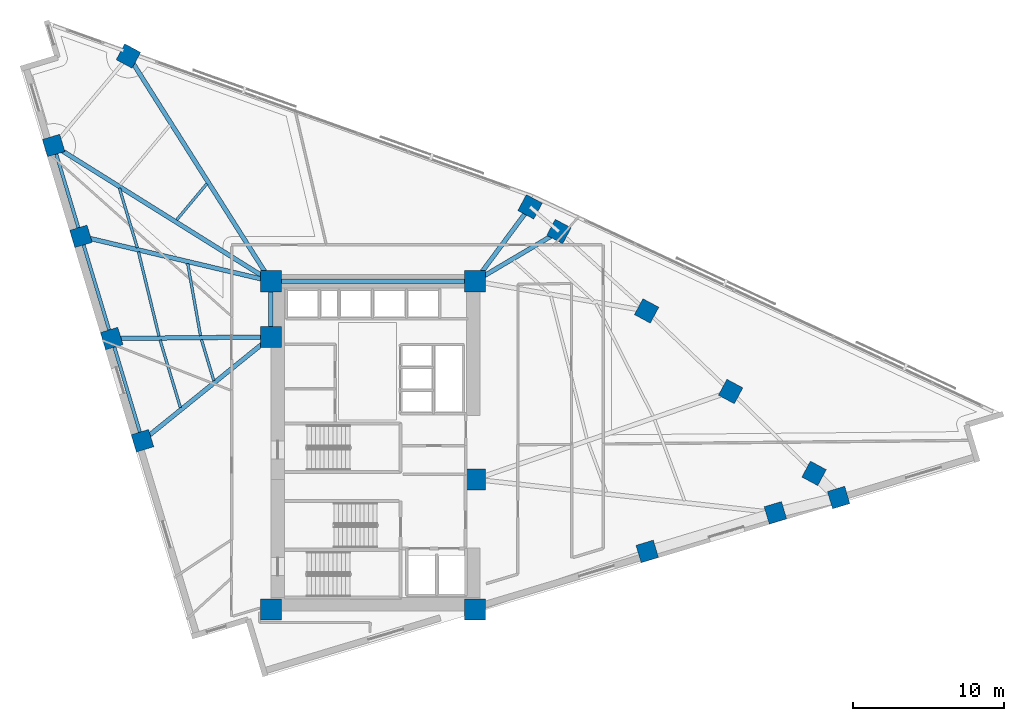
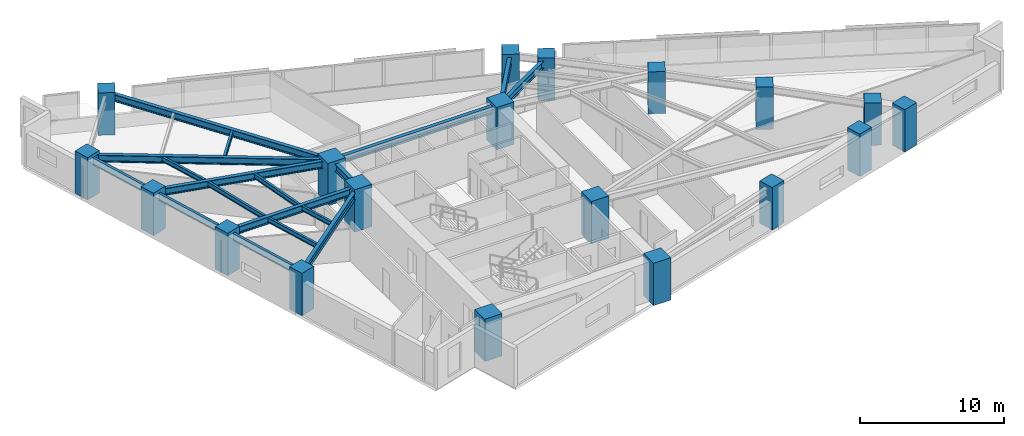
# One storey, part 1 of 15: 19 columns, 18 beams.
"""IFC4 building model written with IfcOpenShell, lengths in metres."""

from ifc_helpers import new_model, si_unit, direction, frame, origin, origin_2d, place, context, subcontext, project, spatial, rectangle, i_section, extrude, material, material_profile, profile_set, type_object, element, save


model = new_model("IFC4")

# Units and contexts
model_context = context("Model", 3, precision=1e-05, world=origin(), true_north=direction((0.0, 1.0)))
body_context = subcontext(model_context, "Body", "Model", "MODEL_VIEW")
ifc_project = project(units=[si_unit("LENGTHUNIT", "METRE"), si_unit("AREAUNIT", "SQUARE_METRE"), si_unit("VOLUMEUNIT", "CUBIC_METRE"), si_unit("PLANEANGLEUNIT", "RADIAN"), si_unit("MASSUNIT", "GRAM", prefix="KILO")], contexts=[model_context])

# Site, building, storey
site_placement = place(None, origin())
site = spatial("IfcSite", under=ifc_project, at=site_placement, CompositionType="ELEMENT")
building_placement = place(site_placement, origin())
building = spatial("IfcBuilding", under=site, at=building_placement, Name="Narakoshi Arena Tower", CompositionType="ELEMENT")
storey_placement = place(building_placement, frame((0.0, 0.0, 157.5)))
storey = spatial("IfcBuildingStorey", under=building, at=storey_placement, Name="L42", CompositionType="ELEMENT", Elevation=157.5)

# Columns
ifc_material_1 = material(Name="Concrete C60/75", Category="concrete")
ifc_material_profile_1 = material_profile(ifc_material_1, rectangle(XDim=1.199951171875, YDim=1.199951171875, at=origin_2d()), Name="RC1200x1200")
ifc_profile_set_1 = profile_set([ifc_material_profile_1], Name="Concrete C60/75")
column_type_1 = type_object("IfcColumnType", Name="COL-RC1200", PredefinedType="COLUMN", material=ifc_profile_set_1)
for number, where, z_axis, x_axis, name in (
    (1, (96.984619140625, 38.565185546875, 0.0), (0.0, 0.0, 1.0), (0.957571360805, 0.288196268134, 0.0), "L42 Tower Perimeter Column TC02"),
    (2, (105.49365234375, 41.126220703125, 0.0), (0.0, 0.0, 1.0), (0.957571360805, 0.288196268134, 0.0), "L42 Tower Perimeter Column TC03"),
    (3, (109.692626953125, 42.13916015625, 0.0), (0.0, 0.0, 1.0), (0.957571360805, 0.288196268134, 0.0), "L42 Tower Perimeter Column TC04"),
    (4, (108.061279296875, 43.74560546875, 0.0), (0.0, 0.0, 1.0), (0.473319667185, 0.880890738205, 0.0), "L42 Tower Perimeter Column TC05"),
    (5, (102.522216796875, 49.17919921875, 0.0), (0.0, 0.0, 1.0), (0.473319667185, 0.880890738205, 0.0), "L42 Tower Perimeter Column TC06"),
    (6, (96.9443359375, 54.528076171875, 0.0), (0.0, 0.0, 1.0), (0.473319667185, 0.880890738205, 0.0), "L42 Tower Perimeter Column TC07"),
    (7, (91.12646484375, 59.798095703125, 0.0), (0.0, 0.0, 1.0), (0.473319667185, 0.880890738205, 0.0), "L42 Tower Perimeter Column TC08"),
    (8, (89.206787109375, 61.437744140625, 0.0), (0.0, 0.0, 1.0), (0.473319667185, 0.880890738205, 0.0), "L42 Tower Perimeter Column TC09"),
    (9, (62.545166015625, 71.4501953125, 0.0), (0.0, 0.0, 1.0), (0.473319667185, 0.880890738205, 0.0), "L42 Tower Perimeter Column TC11"),
    (10, (57.580810546875, 65.51220703125, 0.0), (0.0, 0.0, 1.0), (-0.288196268134, 0.957571360805, 0.0), "L42 Tower Perimeter Column TC13"),
    (11, (59.39599609375, 59.481201171875, 0.0), (0.0, 0.0, 1.0), (-0.288196268134, 0.957571360805, 0.0), "L42 Tower Perimeter Column TC14"),
    (12, (61.43798828125, 52.6962890625, 0.0), (0.0, 0.0, 1.0), (-0.288196268134, 0.957571360805, 0.0), "L42 Tower Perimeter Column TC15"),
    (13, (63.47998046875, 45.91162109375, 0.0), (0.0, 0.0, 1.0), (-0.288196268134, 0.957571360805, 0.0), "L42 Tower Perimeter Column TC16"),
):
    element("IfcColumn", number, at=place(storey_placement, frame(where, z_axis=z_axis, x_axis=x_axis)), inside=storey, type_object=column_type_1, Name=name, PredefinedType="COLUMN", context=body_context, shape_type="SweptSolid", body=[
        extrude(rectangle(XDim=1.199951171875, YDim=1.199951171875, at=origin_2d()), origin(), (0.0, 0.0, 1.0), 3.60009765625),
    ])
ifc_material_profile_2 = material_profile(ifc_material_1, rectangle(XDim=1.39990234375, YDim=1.39990234375, at=origin_2d()), Name="RC1400x1400")
ifc_profile_set_2 = profile_set([ifc_material_profile_2], Name="Concrete C60/75")
column_type_2 = type_object("IfcColumnType", Name="COL-RC1400", PredefinedType="COLUMN", material=ifc_profile_set_2)
for number, where, z_axis, x_axis, name in (
    (14, (72.0, 34.699951171875, 0.0), (0.0, 0.0, 1.0), (1.0, 0.0, 0.0), "L42 Core Structural Column CC1"),
    (15, (85.550048828125, 34.699951171875, 0.0), (0.0, 0.0, 1.0), (1.0, 0.0, 0.0), "L42 Core Structural Column CC2"),
    (16, (85.550048828125, 43.35009765625, 0.0), (0.0, 0.0, 1.0), (1.0, 0.0, 0.0), "L42 Core Structural Column CC3"),
    (17, (72.0, 52.800048828125, 0.0), (0.0, 0.0, 1.0), (1.0, 0.0, 0.0), "L42 Core Structural Column CC4"),
    (18, (72.0, 56.5, 0.0), (0.0, 0.0, 1.0), (1.0, 0.0, 0.0), "L42 Core Structural Column CC5"),
    (19, (85.550048828125, 56.5, 0.0), (0.0, 0.0, 1.0), (1.0, 0.0, 0.0), "L42 Core Structural Column CC6"),
):
    element("IfcColumn", number, at=place(storey_placement, frame(where, z_axis=z_axis, x_axis=x_axis)), inside=storey, type_object=column_type_2, Name=name, PredefinedType="COLUMN", context=body_context, shape_type="SweptSolid", body=[
        extrude(rectangle(XDim=1.39990234375, YDim=1.39990234375, at=origin_2d()), origin(), (0.0, 0.0, 1.0), 3.60009765625),
    ])

# Beams
ifc_material_2 = material(Name="Structural steel S355J2", Category="steel")
ifc_material_profile_3 = material_profile(ifc_material_2, i_section(OverallWidth=0.219970703125, OverallDepth=0.60009765625, WebThickness=0.011962890625, FlangeThickness=0.01904296875, FilletRadius=0.02392578125, at=origin_2d()), Name="IPE600")
ifc_profile_set_3 = profile_set([ifc_material_profile_3], Name="Structural steel S355J2")
beam_type_1 = type_object("IfcBeamType", Name="BM-EDGE-600", PredefinedType="BEAM", material=ifc_profile_set_3)
beam_1_placement = place(storey_placement, frame((57.580810546875, 65.51220703125, 3.0400390625), z_axis=(0.288204829742, -0.957568784011, 0.0), x_axis=(0.957568784011, 0.288204829742, 0.0)))
element("IfcBeam", 20, at=beam_1_placement, inside=storey, type_object=beam_type_1, Name="L42 Perimeter Edge Girder 10", PredefinedType="BEAM", context=body_context, shape_type="SweptSolid", body=[
    extrude(i_section(OverallWidth=0.219970703125, OverallDepth=0.60009765625, WebThickness=0.011962890625, FlangeThickness=0.01904296875, FilletRadius=0.02392578125, at=origin_2d()), origin(), (0.0, 0.0, 1.0), 6.29833984375),
])
beam_2_placement = place(storey_placement, frame((59.39599609375, 59.481201171875, 3.0400390625), z_axis=(0.28819179325, -0.957572707581, 0.0), x_axis=(0.957572707581, 0.28819179325, 0.0)))
element("IfcBeam", 21, at=beam_2_placement, inside=storey, type_object=beam_type_1, Name="L42 Perimeter Edge Girder 11", PredefinedType="BEAM", context=body_context, shape_type="SweptSolid", body=[
    extrude(i_section(OverallWidth=0.219970703125, OverallDepth=0.60009765625, WebThickness=0.011962890625, FlangeThickness=0.01904296875, FilletRadius=0.02392578125, at=origin_2d()), origin(), (0.0, 0.0, 1.0), 7.08544921875),
])
beam_3_placement = place(storey_placement, frame((61.43798828125, 52.6962890625, 3.0400390625), z_axis=(0.288201302245, -0.957569845695, 0.0), x_axis=(0.957569845695, 0.288201302245, 0.0)))
element("IfcBeam", 22, at=beam_3_placement, inside=storey, type_object=beam_type_1, Name="L42 Perimeter Edge Girder 12", PredefinedType="BEAM", context=body_context, shape_type="SweptSolid", body=[
    extrude(i_section(OverallWidth=0.219970703125, OverallDepth=0.60009765625, WebThickness=0.011962890625, FlangeThickness=0.01904296875, FilletRadius=0.02392578125, at=origin_2d()), origin(), (0.0, 0.0, 1.0), 7.085205078125),
])
ifc_material_profile_4 = material_profile(ifc_material_2, i_section(OverallWidth=0.300048828125, OverallDepth=0.60009765625, WebThickness=0.015380859375, FlangeThickness=0.030029296875, FilletRadius=0.027099609375, at=origin_2d()), Name="HE600B")
ifc_profile_set_4 = profile_set([ifc_material_profile_4], Name="Structural steel S355J2")
beam_type_2 = type_object("IfcBeamType", Name="BM-PRI-600", PredefinedType="BEAM", material=ifc_profile_set_4)
beam_4_placement = place(storey_placement, frame((85.550048828125, 56.5, 3.0400390625), z_axis=(0.860727657757, 0.509065712037, 0.0), x_axis=(-0.509065712037, 0.860727657757, 0.0)))
element("IfcBeam", 23, at=beam_4_placement, inside=storey, type_object=beam_type_2, Name="L42 Radial Primary Floor Girder 07", PredefinedType="BEAM", context=body_context, shape_type="SweptSolid", body=[
    extrude(i_section(OverallWidth=0.300048828125, OverallDepth=0.60009765625, WebThickness=0.015380859375, FlangeThickness=0.030029296875, FilletRadius=0.027099609375, at=origin_2d()), origin(), (0.0, 0.0, 1.0), 6.478759765625),
])
beam_5_placement = place(storey_placement, frame((85.550048828125, 56.5, 3.0400390625), z_axis=(0.595138224279, 0.803623353321, 0.0), x_axis=(-0.803623353321, 0.595138224279, 0.0)))
element("IfcBeam", 24, at=beam_5_placement, inside=storey, type_object=beam_type_2, Name="L42 Radial Primary Floor Girder 08", PredefinedType="BEAM", context=body_context, shape_type="SweptSolid", body=[
    extrude(i_section(OverallWidth=0.300048828125, OverallDepth=0.60009765625, WebThickness=0.015380859375, FlangeThickness=0.030029296875, FilletRadius=0.027099609375, at=origin_2d()), origin(), (0.0, 0.0, 1.0), 6.144287109375),
])
beam_6_placement = place(storey_placement, frame((72.0, 56.5, 3.0400390625), z_axis=(-0.534502303868, 0.845167017317, 0.0), x_axis=(-0.845167017317, -0.534502303868, 0.0)))
element("IfcBeam", 25, at=beam_6_placement, inside=storey, type_object=beam_type_2, Name="L42 Radial Primary Floor Girder 09", PredefinedType="BEAM", context=body_context, shape_type="SweptSolid", body=[
    extrude(i_section(OverallWidth=0.300048828125, OverallDepth=0.60009765625, WebThickness=0.015380859375, FlangeThickness=0.030029296875, FilletRadius=0.027099609375, at=origin_2d()), origin(), (0.0, 0.0, 1.0), 17.68896484375),
])
beam_7_placement = place(storey_placement, frame((72.0, 56.5, 3.0400390625), z_axis=(-0.847992657587, 0.530007974165, 0.0), x_axis=(-0.530007974165, -0.847992657587, 0.0)))
element("IfcBeam", 26, at=beam_7_placement, inside=storey, type_object=beam_type_2, Name="L42 Radial Primary Floor Girder 10", PredefinedType="BEAM", context=body_context, shape_type="SweptSolid", body=[
    extrude(i_section(OverallWidth=0.300048828125, OverallDepth=0.60009765625, WebThickness=0.015380859375, FlangeThickness=0.030029296875, FilletRadius=0.027099609375, at=origin_2d()), origin(), (0.0, 0.0, 1.0), 17.00390625),
])
beam_8_placement = place(storey_placement, frame((72.0, 56.5, 3.0400390625), z_axis=(-0.973148771856, 0.230177035857, 0.0), x_axis=(-0.230177035857, -0.973148771856, 0.0)))
element("IfcBeam", 27, at=beam_8_placement, inside=storey, type_object=beam_type_2, Name="L42 Radial Primary Floor Girder 11", PredefinedType="BEAM", context=body_context, shape_type="SweptSolid", body=[
    extrude(i_section(OverallWidth=0.300048828125, OverallDepth=0.60009765625, WebThickness=0.015380859375, FlangeThickness=0.030029296875, FilletRadius=0.027099609375, at=origin_2d()), origin(), (0.0, 0.0, 1.0), 12.95166015625),
])
beam_9_placement = place(storey_placement, frame((72.0, 52.800048828125, 3.0400390625), z_axis=(-0.999951749341, -0.009823389891, 0.0), x_axis=(0.009823389891, -0.999951749341, 0.0)))
element("IfcBeam", 28, at=beam_9_placement, inside=storey, type_object=beam_type_2, Name="L42 Radial Primary Floor Girder 12", PredefinedType="BEAM", context=body_context, shape_type="SweptSolid", body=[
    extrude(i_section(OverallWidth=0.300048828125, OverallDepth=0.60009765625, WebThickness=0.015380859375, FlangeThickness=0.030029296875, FilletRadius=0.027099609375, at=origin_2d()), origin(), (0.0, 0.0, 1.0), 10.5625),
])
beam_10_placement = place(storey_placement, frame((72.0, 52.800048828125, 3.0400390625), z_axis=(-0.777634431076, -0.628716702184, 0.0), x_axis=(0.628716702184, -0.777634431076, 0.0)))
element("IfcBeam", 29, at=beam_10_placement, inside=storey, type_object=beam_type_2, Name="L42 Radial Primary Floor Girder 13", PredefinedType="BEAM", context=body_context, shape_type="SweptSolid", body=[
    extrude(i_section(OverallWidth=0.300048828125, OverallDepth=0.60009765625, WebThickness=0.015380859375, FlangeThickness=0.030029296875, FilletRadius=0.027099609375, at=origin_2d()), origin(), (0.0, 0.0, 1.0), 10.956298828125),
])
beam_11_placement = place(storey_placement, frame((72.0, 52.800048828125, 3.0400390625), z_axis=(0.0, 1.0, 0.0), x_axis=(-1.0, 0.0, 0.0)))
element("IfcBeam", 30, at=beam_11_placement, inside=storey, type_object=beam_type_2, Name="L42 Core Perimeter Frame Beam CC4-CC5", PredefinedType="BEAM", context=body_context, shape_type="SweptSolid", body=[
    extrude(i_section(OverallWidth=0.300048828125, OverallDepth=0.60009765625, WebThickness=0.015380859375, FlangeThickness=0.030029296875, FilletRadius=0.027099609375, at=origin_2d()), origin(), (0.0, 0.0, 1.0), 3.699951171875),
])
beam_12_placement = place(storey_placement, frame((72.0, 56.5, 3.0400390625), z_axis=(1.0, 0.0, 0.0), x_axis=(0.0, 1.0, 0.0)))
element("IfcBeam", 31, at=beam_12_placement, inside=storey, type_object=beam_type_2, Name="L42 Core Perimeter Frame Beam CC5-CC6", PredefinedType="BEAM", context=body_context, shape_type="SweptSolid", body=[
    extrude(i_section(OverallWidth=0.300048828125, OverallDepth=0.60009765625, WebThickness=0.015380859375, FlangeThickness=0.030029296875, FilletRadius=0.027099609375, at=origin_2d()), origin(), (0.0, 0.0, 1.0), 13.550048828125),
])
ifc_material_profile_5 = material_profile(ifc_material_2, i_section(OverallWidth=0.179931640625, OverallDepth=0.39990234375, WebThickness=0.008544921875, FlangeThickness=0.013427734375, FilletRadius=0.02099609375, at=origin_2d()), Name="IPE400")
ifc_profile_set_5 = profile_set([ifc_material_profile_5], Name="Structural steel S355J2")
beam_type_3 = type_object("IfcBeamType", Name="BM-SEC-400", PredefinedType="JOIST", material=ifc_profile_set_5)
beam_13_placement = place(storey_placement, frame((67.75341796875, 62.974609375, 3.139892578125), z_axis=(-0.641393594334, -0.767212002739, 0.0), x_axis=(0.767212002739, -0.641393594334, 0.0)))
element("IfcBeam", 32, at=beam_13_placement, inside=storey, type_object=beam_type_3, Name="L42 Composite Secondary Floor Joist 07", PredefinedType="JOIST", context=body_context, shape_type="SweptSolid", body=[
    extrude(i_section(OverallWidth=0.179931640625, OverallDepth=0.39990234375, WebThickness=0.008544921875, FlangeThickness=0.013427734375, FilletRadius=0.02099609375, at=origin_2d()), origin(), (0.0, 0.0, 1.0), 3.1357421875),
])
beam_14_placement = place(storey_placement, frame((61.945556640625, 62.67919921875, 3.139892578125), z_axis=(0.288164978579, -0.957580777334, 0.0), x_axis=(0.957580777334, 0.288164978579, 0.0)))
element("IfcBeam", 33, at=beam_14_placement, inside=storey, type_object=beam_type_3, Name="L42 Composite Secondary Floor Joist 09", PredefinedType="JOIST", context=body_context, shape_type="SweptSolid", body=[
    extrude(i_section(OverallWidth=0.179931640625, OverallDepth=0.39990234375, WebThickness=0.008544921875, FlangeThickness=0.013427734375, FilletRadius=0.02099609375, at=origin_2d()), origin(), (0.0, 0.0, 1.0), 4.138671875),
])
beam_15_placement = place(storey_placement, frame((66.477783203125, 57.6787109375, 3.139892578125), z_axis=(0.174932831413, -0.984580369748, 0.0), x_axis=(0.984580369748, 0.174932831413, 0.0)))
element("IfcBeam", 34, at=beam_15_placement, inside=storey, type_object=beam_type_3, Name="L42 Composite Secondary Floor Joist 10", PredefinedType="JOIST", context=body_context, shape_type="SweptSolid", body=[
    extrude(i_section(OverallWidth=0.179931640625, OverallDepth=0.39990234375, WebThickness=0.008544921875, FlangeThickness=0.013427734375, FilletRadius=0.02099609375, at=origin_2d()), origin(), (0.0, 0.0, 1.0), 4.866455078125),
])
beam_16_placement = place(storey_placement, frame((63.209228515625, 58.455810546875, 3.139892578125), z_axis=(0.237007882621, -0.971507726977, 0.0), x_axis=(0.971507726977, 0.237007882621, 0.0)))
element("IfcBeam", 35, at=beam_16_placement, inside=storey, type_object=beam_type_3, Name="L42 Composite Secondary Floor Joist 11", PredefinedType="JOIST", context=body_context, shape_type="SweptSolid", body=[
    extrude(i_section(OverallWidth=0.179931640625, OverallDepth=0.39990234375, WebThickness=0.008544921875, FlangeThickness=0.013427734375, FilletRadius=0.02099609375, at=origin_2d()), origin(), (0.0, 0.0, 1.0), 5.76123046875),
])
beam_17_placement = place(storey_placement, frame((67.3916015625, 52.625, 3.139892578125), z_axis=(0.288260224985, -0.957552109648, 0.0), x_axis=(0.957552109648, 0.288260224985, 0.0)))
element("IfcBeam", 36, at=beam_17_placement, inside=storey, type_object=beam_type_3, Name="L42 Composite Secondary Floor Joist 12", PredefinedType="JOIST", context=body_context, shape_type="SweptSolid", body=[
    extrude(i_section(OverallWidth=0.179931640625, OverallDepth=0.39990234375, WebThickness=0.008544921875, FlangeThickness=0.013427734375, FilletRadius=0.02099609375, at=origin_2d()), origin(), (0.0, 0.0, 1.0), 2.847412109375),
])
beam_18_placement = place(storey_placement, frame((64.6455078125, 52.59814453125, 3.139892578125), z_axis=(0.28819790807, -0.957570867239, 0.0), x_axis=(0.957570867239, 0.28819790807, 0.0)))
element("IfcBeam", 37, at=beam_18_placement, inside=storey, type_object=beam_type_3, Name="L42 Composite Secondary Floor Joist 13", PredefinedType="JOIST", context=body_context, shape_type="SweptSolid", body=[
    extrude(i_section(OverallWidth=0.179931640625, OverallDepth=0.39990234375, WebThickness=0.008544921875, FlangeThickness=0.013427734375, FilletRadius=0.02099609375, at=origin_2d()), origin(), (0.0, 0.0, 1.0), 4.689697265625),
])

save(model, "model.ifc")
